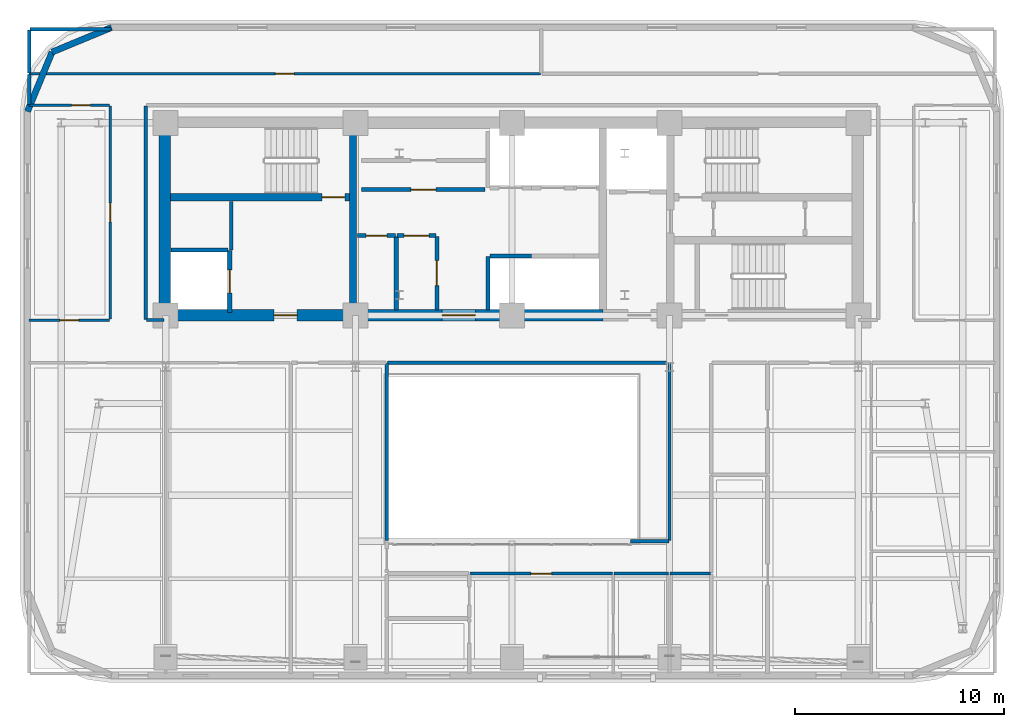
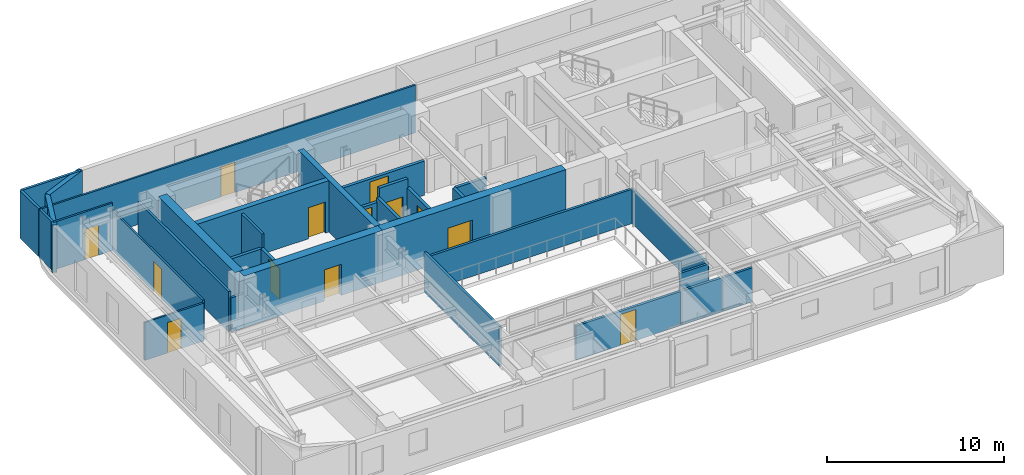
# One storey, part 7 of 13: 33 walls, 13 doors, 13 openings.
"""IFC4 building model written with IfcOpenShell, lengths in metres."""

import ifcopenshell
import ifcopenshell.guid

model = None  # the IFC model being written
_history = None  # IfcOwnerHistory: only IFC2X3 demands one
_inside = {}  # id of a spatial element -> (the spatial element, [elements in it])
_under = {}  # id of a project, library or spatial element -> (it, [spatial elements below it])
_declared = {}  # id of a project -> (the project, [libraries it declares])
_typed = {}  # id of a type object -> (the type object, [elements of that type])
_made_of = {}  # id of a material, layer set ... -> (it, [elements and type objects made of it])


def new_model(schema):
    """Start an empty IFC model of exactly this schema.

    Asked for "IFC4X3", IfcOpenShell would pick the latest addendum, in which some entities
    have other attributes; the version numbers below select the first issue.
    IFC2X3 requires an IfcOwnerHistory on every rooted entity: one is made here for all.
    """
    global model, _history
    if schema == "IFC4X3":
        model = ifcopenshell.file(schema_version=(4, 3, 0, 0))
    else:
        model = ifcopenshell.file(schema=schema)
    _inside.clear()
    _under.clear()
    _declared.clear()
    _typed.clear()
    _made_of.clear()
    _history = None
    if model.schema == "IFC2X3":
        org = make("IfcOrganization", Name="unknown")
        user = make(
            "IfcPersonAndOrganization",
            ThePerson=make("IfcPerson", FamilyName="unknown"),
            TheOrganization=org,
        )
        app = make(
            "IfcApplication",
            ApplicationDeveloper=org,
            Version="unknown",
            ApplicationFullName="unknown",
            ApplicationIdentifier="unknown",
        )
        _history = make(
            "IfcOwnerHistory",
            OwningUser=user,
            OwningApplication=app,
            ChangeAction="ADDED",
            CreationDate=0,
        )
    return model


def make(cls, **values):
    """One entity of the class cls with the attributes given. An attribute that is None is left unset."""
    return model.create_entity(
        cls, **{name: value for name, value in values.items() if value is not None}
    )


def rooted(cls, **values):
    """An entity with a GlobalId (a new one), such as an element, a storey or a relation."""
    return make(cls, GlobalId=ifcopenshell.guid.new(), OwnerHistory=_history, **values)


def si_unit(unit_type, name, prefix=None):
    """IfcSIUnit, for example si_unit("LENGTHUNIT", "METRE", prefix="MILLI")."""
    return make("IfcSIUnit", UnitType=unit_type, Prefix=prefix, Name=name)


def assignment(units):
    """IfcUnitAssignment: the units of a project."""
    return None if units is None else make("IfcUnitAssignment", Units=units)


def point(xyz):
    """IfcCartesianPoint."""
    return None if xyz is None else make("IfcCartesianPoint", Coordinates=xyz)


def direction(xyz):
    """IfcDirection."""
    return None if xyz is None else make("IfcDirection", DirectionRatios=xyz)


def frame(location, z_axis=None, x_axis=None):
    """IfcAxis2Placement3D, a coordinate frame: its origin and axes. An axis left out is left unset."""
    return make(
        "IfcAxis2Placement3D",
        Location=point(location),
        Axis=direction(z_axis),
        RefDirection=direction(x_axis),
    )


def frame_2d(location, x_axis=None):
    """IfcAxis2Placement2D, a coordinate frame in the plane: its origin and x axis."""
    return make(
        "IfcAxis2Placement2D", Location=point(location), RefDirection=direction(x_axis)
    )


def origin():
    """The frame at (0, 0, 0) with its axes left unset."""
    return frame((0.0, 0.0, 0.0))


def place(relative_to, where):
    """IfcLocalPlacement: puts the frame where relative to a parent placement (None: the world)."""
    return make(
        "IfcLocalPlacement", PlacementRelTo=relative_to, RelativePlacement=where
    )


def context(
    kind, dimensions, precision=None, world=None, true_north=None, identifier=None
):
    """IfcGeometricRepresentationContext, for example the 3D "Model" context."""
    return make(
        "IfcGeometricRepresentationContext",
        ContextIdentifier=identifier,
        ContextType=kind,
        CoordinateSpaceDimension=dimensions,
        Precision=precision,
        WorldCoordinateSystem=world,
        TrueNorth=true_north,
    )


def subcontext(parent, identifier, kind, view, scale=None):
    """IfcGeometricRepresentationSubContext, for example "Body" below "Model"."""
    return make(
        "IfcGeometricRepresentationSubContext",
        ContextIdentifier=identifier,
        ContextType=kind,
        ParentContext=parent,
        TargetScale=scale,
        TargetView=view,
    )


def project(units=None, contexts=None):
    """IfcProject with its units and contexts."""
    return rooted(
        "IfcProject",
        Name="project",
        RepresentationContexts=contexts,
        UnitsInContext=assignment(units),
    )


def spatial(cls, under=None, at=None, **own):
    """A site, building, storey or space (cls), placed at a placement, below another one or the project."""
    s = rooted(cls, ObjectPlacement=at, **own)
    if under is not None:
        _under.setdefault(under.id(), (under, []))[1].append(s)
    return s


def profile(cls, at=None, kind="AREA", **sizes):
    """A parametric profile (cls). Its sizes go by their IFC names, for example OverallWidth=200.0."""
    return make(cls, ProfileType=kind, Position=at, **sizes)


def rectangle(**sizes):
    """IfcRectangleProfileDef."""
    return profile("IfcRectangleProfileDef", **sizes)


def extrude(swept, where, along, depth):
    """IfcExtrudedAreaSolid: the profile swept, set in the frame where, extruded along a direction by depth."""
    return make(
        "IfcExtrudedAreaSolid",
        SweptArea=swept,
        Position=where,
        ExtrudedDirection=direction(along),
        Depth=depth,
    )


def shape(context_of_items, identifier, shape_type, items):
    """IfcShapeRepresentation: the items that make up one representation, for example the "Body"."""
    return make(
        "IfcShapeRepresentation",
        ContextOfItems=context_of_items,
        RepresentationIdentifier=identifier,
        RepresentationType=shape_type,
        Items=items,
    )


def material(Name=None, Category=None):
    """IfcMaterial."""
    return make("IfcMaterial", Name=Name, Category=Category)


def layer(
    of_material, thickness, ventilated=None, Name=None, Category=None, Priority=None
):
    """IfcMaterialLayer: one layer of a wall or slab, of a material (None: an air gap)."""
    return make(
        "IfcMaterialLayer",
        Material=of_material,
        LayerThickness=thickness,
        IsVentilated=ventilated,
        Name=Name,
        Category=Category,
        Priority=Priority,
    )


def layer_set(layers, Name=None):
    """IfcMaterialLayerSet."""
    return make("IfcMaterialLayerSet", MaterialLayers=layers, LayerSetName=Name)


def made_of(thing, what):
    """Note that an element or type object is made of a material, layer set ...; save() writes the relation."""
    if what is not None:
        _made_of.setdefault(what.id(), (what, []))[1].append(thing)
    return thing


def type_object(cls, material=None, **own):
    """A type object (cls), such as IfcWallType, which elements share."""
    return made_of(rooted(cls, **own), material)


def element(
    cls,
    number,
    at=None,
    inside=None,
    cuts=None,
    type_object=None,
    material=None,
    context=None,
    identifier="Body",
    shape_type=None,
    held_by="IfcProductDefinitionShape",
    body=None,
    shapes=None,
    **own,
):
    """One element of the class cls, such as IfcWall. Its Tag is "e" and its number.

    at: its placement. inside: the storey or other place that contains it. cuts: it is an
    opening in that element (IfcRelVoidsElement). A single representation is given by context,
    identifier, shape_type and body (its items); several are given by shapes. held_by: the class
    of the entity that holds the representations. save() writes the other relations.
    """
    e = rooted(cls, Tag="e%d" % number, ObjectPlacement=at, **own)
    if body is not None:
        shapes = [shape(context, identifier, shape_type, body)]
    if shapes is not None:
        e.Representation = make(held_by, Representations=shapes)
    if inside is not None:
        _inside.setdefault(inside.id(), (inside, []))[1].append(e)
    if cuts is not None:
        rooted(
            "IfcRelVoidsElement", RelatingBuildingElement=cuts, RelatedOpeningElement=e
        )
    if type_object is not None:
        _typed.setdefault(type_object.id(), (type_object, []))[1].append(e)
    return made_of(e, material)


def fill(opening, filler):
    """IfcRelFillsElement: the door or window that sits in an opening."""
    return rooted(
        "IfcRelFillsElement",
        RelatingOpeningElement=opening,
        RelatedBuildingElement=filler,
    )


def aggregate(whole, parts):
    """IfcRelAggregates: a whole, such as a stair, and the parts it consists of."""
    return rooted("IfcRelAggregates", RelatingObject=whole, RelatedObjects=parts)


def save(model, path):
    """Write the relations noted so far, then the file.

    IfcRelAggregates (storeys below a building ...), IfcRelContainedInSpatialStructure (elements
    in a storey), IfcRelDefinesByType, IfcRelAssociatesMaterial and IfcRelDeclares: one each for
    every whole, place, type object, material and project.
    """
    for whole, parts in _under.values():
        aggregate(whole, parts)
    for where, things in _inside.values():
        rooted(
            "IfcRelContainedInSpatialStructure",
            RelatedElements=things,
            RelatingStructure=where,
        )
    for kind, things in _typed.values():
        rooted("IfcRelDefinesByType", RelatedObjects=things, RelatingType=kind)
    for what, things in _made_of.values():
        rooted("IfcRelAssociatesMaterial", RelatedObjects=things, RelatingMaterial=what)
    for by, libraries in _declared.values():
        rooted("IfcRelDeclares", RelatingContext=by, RelatedDefinitions=libraries)
    model.write(path)


model = new_model("IFC4")

# Units and contexts
model_context = context("Model", 3, precision=1e-05, world=origin(), true_north=direction((0.0, 1.0)))
body_context = subcontext(model_context, "Body", "Model", "MODEL_VIEW")
ifc_project = project(units=[si_unit("LENGTHUNIT", "METRE"), si_unit("AREAUNIT", "SQUARE_METRE"), si_unit("VOLUMEUNIT", "CUBIC_METRE"), si_unit("PLANEANGLEUNIT", "RADIAN"), si_unit("MASSUNIT", "GRAM", prefix="KILO")], contexts=[model_context])

# Site, building, storey
site_placement = place(None, origin())
site = spatial("IfcSite", under=ifc_project, at=site_placement, CompositionType="ELEMENT")
building_placement = place(site_placement, origin())
building = spatial("IfcBuilding", under=site, at=building_placement, Name="Zarnavel Station Tower", CompositionType="ELEMENT")
storey_placement = place(building_placement, frame((0.0, 0.0, 162.550048828125)))
storey = spatial("IfcBuildingStorey", under=building, at=storey_placement, Name="L44", CompositionType="ELEMENT", Elevation=162.550048828125)

# Wall
ifc_material_1 = material(Name="Concrete C50/60", Category="concrete")
ifc_layer_1 = layer(ifc_material_1, 0.35009765625)
ifc_layer_set_1 = layer_set([ifc_layer_1], Name="CW_350")
wall_type_1 = type_object("IfcWallType", Name="CW_350", PredefinedType="SHEAR", material=ifc_layer_set_1)
wall_1_placement = place(storey_placement, frame((21.179931640625, 28.094970703125, 0.0), z_axis=(0.0, 0.0, 1.0), x_axis=(0.0, 1.0, 0.0)))
element("IfcWall", 1, at=wall_1_placement, inside=storey, type_object=wall_type_1, Name="L44 Rear Core Shear Wall DIV-W", PredefinedType="SHEAR", context=body_context, shape_type="SweptSolid", body=[
    extrude(rectangle(XDim=8.679931640625, YDim=0.35009765625, at=frame_2d((4.33984375, 0.0))), origin(), (0.0, 0.0, 1.0), 3.550048828125),
])

# Wall, opening, door
wall_2_placement = place(storey_placement, frame((21.0048828125, 33.47998046875, 0.0), z_axis=(0.0, 0.0, 1.0), x_axis=(-1.0, 0.0, 0.0)))
wall_2 = element("IfcWall", 2, at=wall_2_placement, inside=storey, type_object=wall_type_1, Name="L44 Rear Core Shear Wall DIV-H1", PredefinedType="SHEAR", context=body_context, shape_type="SweptSolid", body=[
    extrude(rectangle(XDim=8.579833984375, YDim=0.35009765625, at=frame_2d((4.2900390625, 0.0))), origin(), (0.0, 0.0, 1.0), 3.550048828125),
])
opening_1_placement = place(wall_2_placement, frame((0.219970703125, 0.0, 0.0)))
opening_1 = element("IfcOpeningElement", 3, at=opening_1_placement, cuts=wall_2, Name="Opening FD01", PredefinedType="OPENING", context=body_context, shape_type="SweptSolid", body=[
    extrude(rectangle(XDim=1.10009765625, YDim=2.14990234375, at=frame_2d((0.550048828125, 1.074951171875))), frame((0.0, 0.18505859375, 0.0), z_axis=(0.0, -1.0, 0.0), x_axis=(1.0, 0.0, 0.0)), (0.0, 0.0, 1.0), 0.3701171875),
])
ifc_material_2 = material(Name="Painted Galvanised Steel and Hardwood Leaf", Category="steel")
door_type_1 = type_object("IfcDoorType", Name="ID_STAIR_1100", OperationType="NOTDEFINED", PredefinedType="DOOR", material=ifc_material_2)
door_1_placement = place(opening_1_placement, origin())
door_1 = element("IfcDoor", 4, at=door_1_placement, inside=storey, type_object=door_type_1, Name="L44 Stair ST1 Lobby Fire Door", OperationType="SINGLE_SWING_LEFT", OverallHeight=2.14990234375, OverallWidth=1.10009765625, PredefinedType="DOOR", context=body_context, shape_type="SweptSolid", body=[
    extrude(rectangle(XDim=1.10009765625, YDim=2.14990234375, at=frame_2d((0.550048828125, 1.074951171875))), frame((0.0, 0.02490234375, 0.0), z_axis=(0.0, -1.0, 0.0), x_axis=(1.0, 0.0, 0.0)), (0.0, 0.0, 1.0), 0.050048828125),
])
fill(opening_1, door_1)

ifc_material_3 = material(Name="Concrete C50/60", Category="concrete")
ifc_layer_2 = layer(ifc_material_3, 0.550048828125)
ifc_layer_set_2 = layer_set([ifc_layer_2], Name="CW_550")
wall_type_2 = type_object("IfcWallType", Name="CW_550", PredefinedType="SHEAR", material=ifc_layer_set_2)
wall_3_placement = place(storey_placement, frame((21.179931640625, 27.820068359375, 0.0), z_axis=(0.0, 0.0, 1.0), x_axis=(-1.0, 0.0, 0.0)))
wall_3 = element("IfcWall", 5, at=wall_3_placement, inside=storey, type_object=wall_type_2, Name="L44 Rear Core Shear Wall S-W", PredefinedType="SHEAR", context=body_context, shape_type="SweptSolid", body=[
    extrude(rectangle(XDim=9.030029296875, YDim=0.550048828125, at=frame_2d((4.51513671875, 0.0))), origin(), (0.0, 0.0, 1.0), 3.550048828125),
])
opening_2_placement = place(wall_3_placement, frame((2.679931640625, 0.0, 0.0)))
opening_2 = element("IfcOpeningElement", 6, at=opening_2_placement, cuts=wall_3, Name="Opening FD01", PredefinedType="OPENING", context=body_context, shape_type="SweptSolid", body=[
    extrude(rectangle(XDim=1.10009765625, YDim=2.14990234375, at=frame_2d((0.550048828125, 1.074951171875))), frame((0.0, 0.284912109375, 0.0), z_axis=(0.0, -1.0, 0.0), x_axis=(1.0, 0.0, 0.0)), (0.0, 0.0, 1.0), 0.570068359375),
])
door_2_placement = place(opening_2_placement, origin())
door_2 = element("IfcDoor", 7, at=door_2_placement, inside=storey, type_object=door_type_1, Name="L44 West Firefighting Lobby Door", OperationType="SINGLE_SWING_RIGHT", OverallHeight=2.14990234375, OverallWidth=1.10009765625, PredefinedType="DOOR", context=body_context, shape_type="SweptSolid", body=[
    extrude(rectangle(XDim=1.10009765625, YDim=2.14990234375, at=frame_2d((0.550048828125, 1.074951171875))), frame((0.0, 0.02490234375, 0.0), z_axis=(0.0, -1.0, 0.0), x_axis=(1.0, 0.0, 0.0)), (0.0, 0.0, 1.0), 0.050048828125),
])
fill(opening_2, door_2)

wall_4_placement = place(storey_placement, frame((33.14990234375, 27.820068359375, 0.0), z_axis=(0.0, 0.0, 1.0), x_axis=(-1.0, 0.0, 0.0)))
wall_4 = element("IfcWall", 8, at=wall_4_placement, inside=storey, type_object=wall_type_2, Name="L44 Rear Core Shear Wall S-M", PredefinedType="SHEAR", context=body_context, shape_type="SweptSolid", body=[
    extrude(rectangle(XDim=11.969970703125, YDim=0.550048828125, at=frame_2d((5.98486328125, 0.0))), origin(), (0.0, 0.0, 1.0), 3.550048828125),
])
opening_3_placement = place(wall_4_placement, frame((6.10009765625, 0.0, 0.0)))
opening_3 = element("IfcOpeningElement", 9, at=opening_3_placement, cuts=wall_4, Name="Opening ID03", PredefinedType="OPENING", context=body_context, shape_type="SweptSolid", body=[
    extrude(rectangle(XDim=1.60009765625, YDim=2.199951171875, at=frame_2d((0.800048828125, 1.10009765625))), frame((0.0, 0.284912109375, 0.0), z_axis=(0.0, -1.0, 0.0), x_axis=(1.0, 0.0, 0.0)), (0.0, 0.0, 1.0), 0.570068359375),
])
ifc_material_4 = material(Name="Painted Galvanised Steel and Hardwood Leaf", Category="steel")
door_type_2 = type_object("IfcDoorType", Name="ID_PUBLIC_1600", OperationType="DOUBLE_DOOR_SINGLE_SWING", PredefinedType="DOOR", material=ifc_material_4)
door_3_placement = place(opening_3_placement, origin())
door_3 = element("IfcDoor", 10, at=door_3_placement, inside=storey, type_object=door_type_2, Name="L44 Passenger Lift Lobby Double Door", OperationType="SINGLE_SWING_LEFT", OverallHeight=2.199951171875, OverallWidth=1.60009765625, PredefinedType="DOOR", context=body_context, shape_type="SweptSolid", body=[
    extrude(rectangle(XDim=1.60009765625, YDim=2.199951171875, at=frame_2d((0.800048828125, 1.10009765625))), frame((0.0, 0.02490234375, 0.0), z_axis=(0.0, -1.0, 0.0), x_axis=(1.0, 0.0, 0.0)), (0.0, 0.0, 1.0), 0.050048828125),
])
fill(opening_3, door_3)

# Walls
wall_5_placement = place(storey_placement, frame((12.14990234375, 28.094970703125, 0.0), z_axis=(0.0, 0.0, 1.0), x_axis=(0.0, 1.0, 0.0)))
element("IfcWall", 11, at=wall_5_placement, inside=storey, type_object=wall_type_2, Name="L44 Rear Core Shear Wall W", PredefinedType="SHEAR", context=body_context, shape_type="SweptSolid", body=[
    extrude(rectangle(XDim=8.679931640625, YDim=0.550048828125, at=frame_2d((4.33984375, 0.0))), origin(), (0.0, 0.0, 1.0), 3.550048828125),
])
ifc_material_5 = material(Name="Precast concrete C45/55 (Dark Basalt Finish)", Category="masonry")
ifc_layer_3 = layer(ifc_material_5, 0.300048828125)
ifc_layer_set_3 = layer_set([ifc_layer_3], Name="EW_BASALT_300")
wall_type_3 = type_object("IfcWallType", Name="EW_BASALT_300", PredefinedType="SOLIDWALL", material=ifc_layer_set_3)
wall_6_placement = place(storey_placement, frame((6.75732421875, 40.442626953125, 0.0), z_axis=(0.0, 0.0, 1.0), x_axis=(0.923882414032, 0.382676475685, 0.0)))
element("IfcWall", 12, at=wall_6_placement, inside=storey, type_object=wall_type_3, Name="L44 Exterior Basalt Masonry Frame Wall 07", PredefinedType="SOLIDWALL", context=body_context, shape_type="SweptSolid", body=[
    extrude(rectangle(XDim=3.076904296875, YDim=0.300048828125, at=frame_2d((1.53857421875, 0.0))), origin(), (0.0, 0.0, 1.0), 3.2900390625),
])
wall_7_placement = place(storey_placement, frame((5.580078125, 37.60009765625, 0.0), z_axis=(0.0, 0.0, 1.0), x_axis=(0.382636798336, 0.92389884758, 0.0)))
element("IfcWall", 13, at=wall_7_placement, inside=storey, type_object=wall_type_3, Name="L44 Exterior Basalt Masonry Frame Wall 08", PredefinedType="SOLIDWALL", context=body_context, shape_type="SweptSolid", body=[
    extrude(rectangle(XDim=3.07666015625, YDim=0.300048828125, at=frame_2d((1.538330078125, 0.0))), origin(), (0.0, 0.0, 1.0), 3.2900390625),
])

# Wall, opening, door
ifc_material_6 = material(Name="Gypsum Twin-Stud Acoustic Fire Partition", Category="concrete")
ifc_layer_4 = layer(ifc_material_6, 0.159912109375)
ifc_layer_set_4 = layer_set([ifc_layer_4], Name="PT_DEMISE_160")
wall_type_4 = type_object("IfcWallType", Name="PT_DEMISE_160", PredefinedType="PARTITIONING", material=ifc_layer_set_4)
wall_8_placement = place(storey_placement, frame((26.7900390625, 15.449951171875, 0.0), z_axis=(0.0, 0.0, 1.0), x_axis=(1.0, 0.0, 0.0)))
wall_8 = element("IfcWall", 14, at=wall_8_placement, inside=storey, type_object=wall_type_4, Name="L44 Partition COR-AS-US1LV", PredefinedType="PARTITIONING", context=body_context, shape_type="SweptSolid", body=[
    extrude(rectangle(XDim=6.820068359375, YDim=0.159912109375, at=frame_2d((3.41015625, 0.0))), origin(), (0.0, 0.0, 1.0), 2.35986328125),
])
opening_4_placement = place(wall_8_placement, frame((2.909912109375, 0.0, 0.0)))
opening_4 = element("IfcOpeningElement", 15, at=opening_4_placement, cuts=wall_8, Name="Opening FD02", PredefinedType="OPENING", context=body_context, shape_type="SweptSolid", body=[
    extrude(rectangle(XDim=1.0, YDim=2.14990234375, at=frame_2d((0.5, 1.074951171875))), frame((0.0, 0.08984375, 0.0), z_axis=(0.0, -1.0, 0.0), x_axis=(1.0, 0.0, 0.0)), (0.0, 0.0, 1.0), 0.179931640625),
])
ifc_material_7 = material(Name="Painted Galvanised Steel and Hardwood Leaf", Category="steel")
door_type_3 = type_object("IfcDoorType", Name="ID_ENTRY_1000", OperationType="NOTDEFINED", PredefinedType="DOOR", material=ifc_material_7)
door_4_placement = place(opening_4_placement, origin())
door_4 = element("IfcDoor", 16, at=door_4_placement, inside=storey, type_object=door_type_3, Name="L44 Door COR-AS-US1LV", OperationType="SINGLE_SWING_RIGHT", OverallHeight=2.14990234375, OverallWidth=1.0, PredefinedType="DOOR", context=body_context, shape_type="SweptSolid", body=[
    extrude(rectangle(XDim=1.0, YDim=2.14990234375, at=frame_2d((0.5, 1.074951171875))), frame((0.0, 0.02490234375, 0.0), z_axis=(0.0, -1.0, 0.0), x_axis=(1.0, 0.0, 0.0)), (0.0, 0.0, 1.0), 0.050048828125),
])
fill(opening_4, door_4)

# Walls
wall_9_placement = place(storey_placement, frame((33.68994140625, 15.449951171875, 0.0), z_axis=(0.0, 0.0, 1.0), x_axis=(1.0, 0.0, 0.0)))
element("IfcWall", 17, at=wall_9_placement, inside=storey, type_object=wall_type_4, Name="L44 Partition COR-AS-US1B1", PredefinedType="PARTITIONING", context=body_context, shape_type="SweptSolid", body=[
    extrude(rectangle(XDim=2.6201171875, YDim=0.159912109375, at=frame_2d((1.31005859375, 0.0))), origin(), (0.0, 0.0, 1.0), 2.35986328125),
])
wall_10_placement = place(storey_placement, frame((15.35009765625, 30.9599609375, 0.0), z_axis=(0.0, 0.0, 1.0), x_axis=(0.0, 1.0, 0.0)))
element("IfcWall", 18, at=wall_10_placement, inside=storey, type_object=wall_type_4, Name="L44 Enclosure Wall FFL1", PredefinedType="PARTITIONING", context=body_context, shape_type="SweptSolid", body=[
    extrude(rectangle(XDim=2.31005859375, YDim=0.159912109375, at=frame_2d((1.155029296875, 0.0))), origin(), (0.0, 0.0, 1.0), 3.2900390625),
])
wall_11_placement = place(storey_placement, frame((22.830078125, 25.550048828125, 0.0), z_axis=(0.0, 0.0, 1.0), x_axis=(1.0, 0.0, 0.0)))
element("IfcWall", 19, at=wall_11_placement, inside=storey, type_object=wall_type_4, Name="L44 Enclosure Wall COR-S", PredefinedType="PARTITIONING", context=body_context, shape_type="SweptSolid", body=[
    extrude(rectangle(XDim=13.489990234375, YDim=0.159912109375, at=frame_2d((6.7451171875, 0.0))), origin(), (0.0, 0.0, 1.0), 2.35986328125),
])
wall_12_placement = place(storey_placement, frame((11.280029296875, 27.60009765625, 0.0), z_axis=(0.0, 0.0, 1.0), x_axis=(1.0, 0.0, 0.0)))
element("IfcWall", 20, at=wall_12_placement, inside=storey, type_object=wall_type_4, Name="L44 Enclosure Wall COR-S", PredefinedType="PARTITIONING", context=body_context, shape_type="SweptSolid", body=[
    extrude(rectangle(XDim=0.840087890625, YDim=0.159912109375, at=frame_2d((0.419921875, 0.0))), origin(), (0.0, 0.0, 1.0), 2.35986328125),
])
wall_13_placement = place(storey_placement, frame((11.25, 27.6298828125, 0.0), z_axis=(0.0, 0.0, 1.0), x_axis=(0.0, 1.0, 0.0)))
element("IfcWall", 21, at=wall_13_placement, inside=storey, type_object=wall_type_4, Name="L44 Enclosure Wall COR-W", PredefinedType="PARTITIONING", context=body_context, shape_type="SweptSolid", body=[
    extrude(rectangle(XDim=10.240234375, YDim=0.159912109375, at=frame_2d((5.1201171875, 0.0))), origin(), (0.0, 0.0, 1.0), 2.77001953125),
])
wall_14_placement = place(storey_placement, frame((5.659912109375, 37.929931640625, 0.0), z_axis=(0.0, 0.0, 1.0), x_axis=(0.0, 1.0, 0.0)))
element("IfcWall", 22, at=wall_14_placement, inside=storey, type_object=wall_type_4, Name="L44 Enclosure Wall COR-N", PredefinedType="PARTITIONING", context=body_context, shape_type="SweptSolid", body=[
    extrude(rectangle(XDim=1.440185546875, YDim=0.159912109375, at=frame_2d((0.72021484375, 0.0))), origin(), (0.0, 0.0, 1.0), 3.2900390625),
])
wall_15_placement = place(storey_placement, frame((36.3798828125, 15.449951171875, 0.0), z_axis=(0.0, 0.0, 1.0), x_axis=(1.0, 0.0, 0.0)))
element("IfcWall", 23, at=wall_15_placement, inside=storey, type_object=wall_type_4, Name="L44 Enclosure Wall COR-AE", PredefinedType="PARTITIONING", context=body_context, shape_type="SweptSolid", body=[
    extrude(rectangle(XDim=1.940185546875, YDim=0.159912109375, at=frame_2d((0.97021484375, 0.0))), origin(), (0.0, 0.0, 1.0), 2.35986328125),
])
wall_16_placement = place(storey_placement, frame((36.35009765625, 17.030029296875, 0.0), z_axis=(0.0, 0.0, 1.0), x_axis=(0.0, 1.0, 0.0)))
element("IfcWall", 24, at=wall_16_placement, inside=storey, type_object=wall_type_4, Name="L44 Enclosure Wall COR-AE", PredefinedType="PARTITIONING", context=body_context, shape_type="SweptSolid", body=[
    extrude(rectangle(XDim=8.489990234375, YDim=0.159912109375, at=frame_2d((4.2451171875, 0.0))), origin(), (0.0, 0.0, 1.0), 2.35986328125),
])
wall_17_placement = place(storey_placement, frame((34.47998046875, 17.0, 0.0), z_axis=(0.0, 0.0, 1.0), x_axis=(1.0, 0.0, 0.0)))
element("IfcWall", 25, at=wall_17_placement, inside=storey, type_object=wall_type_4, Name="L44 Enclosure Wall COR-AS", PredefinedType="PARTITIONING", context=body_context, shape_type="SweptSolid", body=[
    extrude(rectangle(XDim=1.840087890625, YDim=0.159912109375, at=frame_2d((0.919921875, 0.0))), origin(), (0.0, 0.0, 1.0), 2.35986328125),
])
wall_18_placement = place(storey_placement, frame((5.68994140625, 41.5400390625, 0.0), z_axis=(0.0, 0.0, 1.0), x_axis=(1.0, 0.0, 0.0)))
element("IfcWall", 26, at=wall_18_placement, inside=storey, type_object=wall_type_4, Name="L44 Enclosure Wall NLOU", PredefinedType="PARTITIONING", context=body_context, shape_type="SweptSolid", body=[
    extrude(rectangle(XDim=3.880126953125, YDim=0.159912109375, at=frame_2d((1.93994140625, 0.0))), origin(), (0.0, 0.0, 1.0), 3.2900390625),
])
wall_19_placement = place(storey_placement, frame((5.659912109375, 39.429931640625, 0.0), z_axis=(0.0, 0.0, 1.0), x_axis=(0.0, 1.0, 0.0)))
element("IfcWall", 27, at=wall_19_placement, inside=storey, type_object=wall_type_4, Name="L44 Enclosure Wall NLOU", PredefinedType="PARTITIONING", context=body_context, shape_type="SweptSolid", body=[
    extrude(rectangle(XDim=2.080078125, YDim=0.159912109375, at=frame_2d((1.0400390625, 0.0))), origin(), (0.0, 0.0, 1.0), 3.2900390625),
])
wall_20_placement = place(storey_placement, frame((22.800048828125, 17.030029296875, 0.0), z_axis=(0.0, 0.0, 1.0), x_axis=(0.0, 1.0, 0.0)))
element("IfcWall", 28, at=wall_20_placement, inside=storey, type_object=wall_type_4, Name="L44 Enclosure Wall L43KIT", PredefinedType="PARTITIONING", context=body_context, shape_type="SweptSolid", body=[
    extrude(rectangle(XDim=8.489990234375, YDim=0.159912109375, at=frame_2d((4.2451171875, 0.0))), origin(), (0.0, 0.0, 1.0), 2.72998046875),
])

# Wall, opening, door
ifc_material_8 = material(Name="Gypsum Metal-Stud Interior Partition", Category="concrete")
ifc_layer_5 = layer(ifc_material_8, 0.1201171875)
ifc_layer_set_5 = layer_set([ifc_layer_5], Name="PT_ROOM_120")
wall_type_5 = type_object("IfcWallType", Name="PT_ROOM_120", PredefinedType="PARTITIONING", material=ifc_layer_set_5)
wall_21_placement = place(storey_placement, frame((5.659912109375, 27.60009765625, 0.0), z_axis=(0.0, 0.0, 1.0), x_axis=(1.0, 0.0, 0.0)))
wall_21 = element("IfcWall", 29, at=wall_21_placement, inside=storey, type_object=wall_type_5, Name="L44 Partition COR-S-FNW", PredefinedType="PARTITIONING", context=body_context, shape_type="SweptSolid", body=[
    extrude(rectangle(XDim=3.85009765625, YDim=0.1201171875, at=frame_2d((1.925048828125, 0.0))), origin(), (0.0, 0.0, 1.0), 2.619873046875),
])
opening_5_placement = place(wall_21_placement, frame((1.47509765625, 0.0, 0.0)))
opening_5 = element("IfcOpeningElement", 30, at=opening_5_placement, cuts=wall_21, Name="Opening ID01", PredefinedType="OPENING", context=body_context, shape_type="SweptSolid", body=[
    extrude(rectangle(XDim=0.89990234375, YDim=2.10009765625, at=frame_2d((0.449951171875, 1.050048828125))), frame((0.0, 0.070068359375, 0.0), z_axis=(0.0, -1.0, 0.0), x_axis=(1.0, 0.0, 0.0)), (0.0, 0.0, 1.0), 0.14013671875),
])
ifc_material_9 = material(Name="Painted Galvanised Steel and Hardwood Leaf", Category="steel")
door_type_4 = type_object("IfcDoorType", Name="ID_ROOM_900", OperationType="NOTDEFINED", PredefinedType="DOOR", material=ifc_material_9)
door_5_placement = place(opening_5_placement, origin())
door_5 = element("IfcDoor", 31, at=door_5_placement, inside=storey, type_object=door_type_4, Name="L44 Door COR-S-FNW", OperationType="SINGLE_SWING_LEFT", OverallHeight=2.10009765625, OverallWidth=0.89990234375, PredefinedType="DOOR", context=body_context, shape_type="SweptSolid", body=[
    extrude(rectangle(XDim=0.89990234375, YDim=2.10009765625, at=frame_2d((0.449951171875, 1.050048828125))), frame((0.0, 0.02490234375, 0.0), z_axis=(0.0, -1.0, 0.0), x_axis=(1.0, 0.0, 0.0)), (0.0, 0.0, 1.0), 0.050048828125),
])
fill(opening_5, door_5)

wall_22_placement = place(storey_placement, frame((9.550048828125, 27.639892578125, 0.0), z_axis=(0.0, 0.0, 1.0), x_axis=(0.0, 1.0, 0.0)))
wall_22 = element("IfcWall", 32, at=wall_22_placement, inside=storey, type_object=wall_type_5, Name="L44 Partition COR-W-FNW", PredefinedType="PARTITIONING", context=body_context, shape_type="SweptSolid", body=[
    extrude(rectangle(XDim=10.22021484375, YDim=0.1201171875, at=frame_2d((5.110107421875, 0.0))), origin(), (0.0, 0.0, 1.0), 2.77001953125),
])
opening_6_placement = place(wall_22_placement, frame((4.659912109375, 0.0, 0.0)))
opening_6 = element("IfcOpeningElement", 33, at=opening_6_placement, cuts=wall_22, Name="Opening ID01", PredefinedType="OPENING", context=body_context, shape_type="SweptSolid", body=[
    extrude(rectangle(XDim=0.89990234375, YDim=2.10009765625, at=frame_2d((0.449951171875, 1.050048828125))), frame((0.0, 0.070068359375, 0.0), z_axis=(0.0, -1.0, 0.0), x_axis=(1.0, 0.0, 0.0)), (0.0, 0.0, 1.0), 0.14013671875),
])
door_6_placement = place(opening_6_placement, origin())
door_6 = element("IfcDoor", 34, at=door_6_placement, inside=storey, type_object=door_type_4, Name="L44 Door COR-W-FNW", OperationType="SINGLE_SWING_LEFT", OverallHeight=2.10009765625, OverallWidth=0.89990234375, PredefinedType="DOOR", context=body_context, shape_type="SweptSolid", body=[
    extrude(rectangle(XDim=0.89990234375, YDim=2.10009765625, at=frame_2d((0.449951171875, 1.050048828125))), frame((0.0, 0.02490234375, 0.0), z_axis=(0.0, -1.0, 0.0), x_axis=(1.0, 0.0, 0.0)), (0.0, 0.0, 1.0), 0.050048828125),
])
fill(opening_6, door_6)

wall_23_placement = place(storey_placement, frame((5.659912109375, 37.89990234375, 0.0), z_axis=(0.0, 0.0, 1.0), x_axis=(1.0, 0.0, 0.0)))
wall_23 = element("IfcWall", 35, at=wall_23_placement, inside=storey, type_object=wall_type_5, Name="L44 Partition COR-N-FNW", PredefinedType="PARTITIONING", context=body_context, shape_type="SweptSolid", body=[
    extrude(rectangle(XDim=3.85009765625, YDim=0.1201171875, at=frame_2d((1.925048828125, 0.0))), origin(), (0.0, 0.0, 1.0), 3.2900390625),
])
opening_7_placement = place(wall_23_placement, frame((2.03125, 0.0, 0.0)))
opening_7 = element("IfcOpeningElement", 36, at=opening_7_placement, cuts=wall_23, Name="Opening ID01", PredefinedType="OPENING", context=body_context, shape_type="SweptSolid", body=[
    extrude(rectangle(XDim=0.89990234375, YDim=2.10009765625, at=frame_2d((0.449951171875, 1.050048828125))), frame((0.0, 0.070068359375, 0.0), z_axis=(0.0, -1.0, 0.0), x_axis=(1.0, 0.0, 0.0)), (0.0, 0.0, 1.0), 0.14013671875),
])
door_7_placement = place(opening_7_placement, origin())
door_7 = element("IfcDoor", 37, at=door_7_placement, inside=storey, type_object=door_type_4, Name="L44 Door COR-N-FNW", OperationType="SINGLE_SWING_LEFT", OverallHeight=2.10009765625, OverallWidth=0.89990234375, PredefinedType="DOOR", context=body_context, shape_type="SweptSolid", body=[
    extrude(rectangle(XDim=0.89990234375, YDim=2.10009765625, at=frame_2d((0.449951171875, 1.050048828125))), frame((0.0, 0.02490234375, 0.0), z_axis=(0.0, -1.0, 0.0), x_axis=(1.0, 0.0, 0.0)), (0.0, 0.0, 1.0), 0.050048828125),
])
fill(opening_7, door_7)

wall_24_placement = place(storey_placement, frame((5.659912109375, 39.39990234375, 0.0), z_axis=(0.0, 0.0, 1.0), x_axis=(1.0, 0.0, 0.0)))
wall_24 = element("IfcWall", 38, at=wall_24_placement, inside=storey, type_object=wall_type_5, Name="L44 Partition COR-N-NLOU", PredefinedType="PARTITIONING", context=body_context, shape_type="SweptSolid", body=[
    extrude(rectangle(XDim=24.5, YDim=0.1201171875, at=frame_2d((12.25, 0.0))), origin(), (0.0, 0.0, 1.0), 3.2900390625),
])
opening_8_placement = place(wall_24_placement, frame((11.800048828125, 0.0, 0.0)))
opening_8 = element("IfcOpeningElement", 39, at=opening_8_placement, cuts=wall_24, Name="Opening ID01", PredefinedType="OPENING", context=body_context, shape_type="SweptSolid", body=[
    extrude(rectangle(XDim=0.89990234375, YDim=2.10009765625, at=frame_2d((0.449951171875, 1.050048828125))), frame((0.0, 0.070068359375, 0.0), z_axis=(0.0, -1.0, 0.0), x_axis=(1.0, 0.0, 0.0)), (0.0, 0.0, 1.0), 0.14013671875),
])
door_8_placement = place(opening_8_placement, origin())
door_8 = element("IfcDoor", 40, at=door_8_placement, inside=storey, type_object=door_type_4, Name="L44 Door COR-N-NLOU", OperationType="SINGLE_SWING_LEFT", OverallHeight=2.10009765625, OverallWidth=0.89990234375, PredefinedType="DOOR", context=body_context, shape_type="SweptSolid", body=[
    extrude(rectangle(XDim=0.89990234375, YDim=2.10009765625, at=frame_2d((0.449951171875, 1.050048828125))), frame((0.0, 0.02490234375, 0.0), z_axis=(0.0, -1.0, 0.0), x_axis=(1.0, 0.0, 0.0)), (0.0, 0.0, 1.0), 0.050048828125),
])
fill(opening_8, door_8)

ifc_material_10 = material(Name="Precast concrete C45/55 (Fire Shaft Blockwork)", Category="masonry")
ifc_layer_6 = layer(ifc_material_10, 0.199951171875)
ifc_layer_set_6 = layer_set([ifc_layer_6], Name="PT_SHAFT_200")
wall_type_6 = type_object("IfcWallType", Name="PT_SHAFT_200", PredefinedType="PARTITIONING", material=ifc_layer_set_6)
wall_25_placement = place(storey_placement, frame((15.27001953125, 27.969970703125, 0.0), z_axis=(0.0, 0.0, 1.0), x_axis=(0.0, 1.0, 0.0)))
wall_25 = element("IfcWall", 41, at=wall_25_placement, inside=storey, type_object=wall_type_6, Name="L44 Lift FFL-01 Shaft Front Wall", PredefinedType="PARTITIONING", context=body_context, shape_type="SweptSolid", body=[
    extrude(rectangle(XDim=2.9599609375, YDim=0.199951171875, at=frame_2d((1.47998046875, 0.0))), origin(), (0.0, 0.0, 1.0), 2.35986328125),
])
opening_9_placement = place(wall_25_placement, frame((0.929931640625, 0.0, 0.0)))
opening_9 = element("IfcOpeningElement", 42, at=opening_9_placement, cuts=wall_25, Name="Opening LD01", PredefinedType="OPENING", context=body_context, shape_type="SweptSolid", body=[
    extrude(rectangle(XDim=1.10009765625, YDim=2.14990234375, at=frame_2d((0.550048828125, 1.074951171875))), frame((0.0, 0.10986328125, 0.0), z_axis=(0.0, -1.0, 0.0), x_axis=(1.0, 0.0, 0.0)), (0.0, 0.0, 1.0), 0.219970703125),
])
ifc_material_11 = material(Name="Painted Galvanised Steel and Hardwood Leaf", Category="steel")
door_type_5 = type_object("IfcDoorType", Name="LD_FF_1100", OperationType="DOUBLE_DOOR_SLIDING", PredefinedType="DOOR", material=ifc_material_11)
door_9_placement = place(opening_9_placement, origin())
door_9 = element("IfcDoor", 43, at=door_9_placement, inside=storey, type_object=door_type_5, Name="L44 Lift FFL-01 Sliding Landing Door", OperationType="DOUBLE_DOOR_SLIDING", OverallHeight=2.14990234375, OverallWidth=1.10009765625, PredefinedType="DOOR", context=body_context, shape_type="SweptSolid", body=[
    extrude(rectangle(XDim=1.10009765625, YDim=2.14990234375, at=frame_2d((0.550048828125, 1.074951171875))), frame((0.0, 0.02490234375, 0.0), z_axis=(0.0, -1.0, 0.0), x_axis=(1.0, 0.0, 0.0)), (0.0, 0.0, 1.0), 0.050048828125),
])
fill(opening_9, door_9)

# Walls
wall_26_placement = place(storey_placement, frame((12.449951171875, 30.949951171875, 0.0), z_axis=(0.0, 0.0, 1.0), x_axis=(1.0, 0.0, 0.0)))
element("IfcWall", 44, at=wall_26_placement, inside=storey, type_object=wall_type_6, Name="L44 Lift FFL-01 North Shaft Wall", PredefinedType="PARTITIONING", context=body_context, shape_type="SweptSolid", body=[
    extrude(rectangle(XDim=2.75, YDim=0.199951171875, at=frame_2d((1.375, 0.0))), origin(), (0.0, 0.0, 1.0), 2.35986328125),
])
wall_27_placement = place(storey_placement, frame((27.75, 30.669921875, 0.0), z_axis=(0.0, 0.0, 1.0), x_axis=(1.0, 0.0, 0.0)))
element("IfcWall", 45, at=wall_27_placement, inside=storey, type_object=wall_type_6, Name="L44 Lift PL-H1 Shaft Front Wall", PredefinedType="PARTITIONING", context=body_context, shape_type="SweptSolid", body=[
    extrude(rectangle(XDim=1.97509765625, YDim=0.199951171875, at=frame_2d((0.987548828125, 0.0))), origin(), (0.0, 0.0, 1.0), 2.35986328125),
])
wall_28_placement = place(storey_placement, frame((27.64990234375, 28.070068359375, 0.0), z_axis=(0.0, 0.0, 1.0), x_axis=(0.0, 1.0, 0.0)))
element("IfcWall", 46, at=wall_28_placement, inside=storey, type_object=wall_type_6, Name="L44 High-Rise Lift Bank West Shaft Wall", PredefinedType="PARTITIONING", context=body_context, shape_type="SweptSolid", body=[
    extrude(rectangle(XDim=2.579833984375, YDim=0.199951171875, at=frame_2d((1.2900390625, 0.0))), origin(), (0.0, 0.0, 1.0), 2.35986328125),
])

# Wall, opening, door
wall_29_placement = place(storey_placement, frame((21.39990234375, 31.64990234375, 0.0), z_axis=(0.0, 0.0, 1.0), x_axis=(1.0, 0.0, 0.0)))
wall_29 = element("IfcWall", 47, at=wall_29_placement, inside=storey, type_object=wall_type_6, Name="L44 Partition LLOB-CS1", PredefinedType="PARTITIONING", context=body_context, shape_type="SweptSolid", body=[
    extrude(rectangle(XDim=1.81005859375, YDim=0.199951171875, at=frame_2d((0.905029296875, 0.0))), origin(), (0.0, 0.0, 1.0), 2.35986328125),
])
opening_10_placement = place(wall_29_placement, frame((0.405029296875, 0.0, 0.0)))
opening_10 = element("IfcOpeningElement", 48, at=opening_10_placement, cuts=wall_29, Name="Opening FD02", PredefinedType="OPENING", context=body_context, shape_type="SweptSolid", body=[
    extrude(rectangle(XDim=1.0, YDim=2.14990234375, at=frame_2d((0.5, 1.074951171875))), frame((0.0, 0.10986328125, 0.0), z_axis=(0.0, -1.0, 0.0), x_axis=(1.0, 0.0, 0.0)), (0.0, 0.0, 1.0), 0.219970703125),
])
door_10_placement = place(opening_10_placement, origin())
door_10 = element("IfcDoor", 49, at=door_10_placement, inside=storey, type_object=door_type_3, Name="L44 Door LLOB-CS1", OperationType="SINGLE_SWING_RIGHT", OverallHeight=2.14990234375, OverallWidth=1.0, PredefinedType="DOOR", context=body_context, shape_type="SweptSolid", body=[
    extrude(rectangle(XDim=1.0, YDim=2.14990234375, at=frame_2d((0.5, 1.074951171875))), frame((0.0, 0.02490234375, 0.0), z_axis=(0.0, -1.0, 0.0), x_axis=(1.0, 0.0, 0.0)), (0.0, 0.0, 1.0), 0.050048828125),
])
fill(opening_10, door_10)

wall_30_placement = place(storey_placement, frame((23.2900390625, 31.64990234375, 0.0), z_axis=(0.0, 0.0, 1.0), x_axis=(1.0, 0.0, 0.0)))
wall_30 = element("IfcWall", 50, at=wall_30_placement, inside=storey, type_object=wall_type_6, Name="L44 Partition LLOB-CS2", PredefinedType="PARTITIONING", context=body_context, shape_type="SweptSolid", body=[
    extrude(rectangle(XDim=1.869873046875, YDim=0.199951171875, at=frame_2d((0.93505859375, 0.0))), origin(), (0.0, 0.0, 1.0), 3.2900390625),
])
opening_11_placement = place(wall_30_placement, frame((0.3349609375, 0.0, 0.0)))
opening_11 = element("IfcOpeningElement", 51, at=opening_11_placement, cuts=wall_30, Name="Opening FD03", PredefinedType="OPENING", context=body_context, shape_type="SweptSolid", body=[
    extrude(rectangle(XDim=1.199951171875, YDim=2.14990234375, at=frame_2d((0.60009765625, 1.074951171875))), frame((0.0, 0.10986328125, 0.0), z_axis=(0.0, -1.0, 0.0), x_axis=(1.0, 0.0, 0.0)), (0.0, 0.0, 1.0), 0.219970703125),
])
ifc_material_12 = material(Name="Painted Galvanised Steel and Hardwood Leaf", Category="steel")
door_type_6 = type_object("IfcDoorType", Name="ID_PLANT_1200", OperationType="NOTDEFINED", PredefinedType="DOOR", material=ifc_material_12)
door_11_placement = place(opening_11_placement, origin())
door_11 = element("IfcDoor", 52, at=door_11_placement, inside=storey, type_object=door_type_6, Name="L44 Door LLOB-CS2", OperationType="SINGLE_SWING_LEFT", OverallHeight=2.14990234375, OverallWidth=1.199951171875, PredefinedType="DOOR", context=body_context, shape_type="SweptSolid", body=[
    extrude(rectangle(XDim=1.199951171875, YDim=2.14990234375, at=frame_2d((0.60009765625, 1.074951171875))), frame((0.0, 0.02490234375, 0.0), z_axis=(0.0, -1.0, 0.0), x_axis=(1.0, 0.0, 0.0)), (0.0, 0.0, 1.0), 0.050048828125),
])
fill(opening_11, door_11)

wall_31_placement = place(storey_placement, frame((21.590087890625, 33.85009765625, 0.0), z_axis=(0.0, 0.0, 1.0), x_axis=(1.0, 0.0, 0.0)))
wall_31 = element("IfcWall", 53, at=wall_31_placement, inside=storey, type_object=wall_type_6, Name="L44 Partition LLOB-FB1A", PredefinedType="PARTITIONING", context=body_context, shape_type="SweptSolid", body=[
    extrude(rectangle(XDim=5.919921875, YDim=0.199951171875, at=frame_2d((2.9599609375, 0.0))), origin(), (0.0, 0.0, 1.0), 2.35986328125),
])
opening_12_placement = place(wall_31_placement, frame((2.360107421875, 0.0, 0.0)))
opening_12 = element("IfcOpeningElement", 54, at=opening_12_placement, cuts=wall_31, Name="Opening FD03", PredefinedType="OPENING", context=body_context, shape_type="SweptSolid", body=[
    extrude(rectangle(XDim=1.199951171875, YDim=2.14990234375, at=frame_2d((0.60009765625, 1.074951171875))), frame((0.0, 0.10986328125, 0.0), z_axis=(0.0, -1.0, 0.0), x_axis=(1.0, 0.0, 0.0)), (0.0, 0.0, 1.0), 0.219970703125),
])
door_12_placement = place(opening_12_placement, origin())
door_12 = element("IfcDoor", 55, at=door_12_placement, inside=storey, type_object=door_type_6, Name="L44 Door LLOB-FB1A", OperationType="SINGLE_SWING_RIGHT", OverallHeight=2.14990234375, OverallWidth=1.199951171875, PredefinedType="DOOR", context=body_context, shape_type="SweptSolid", body=[
    extrude(rectangle(XDim=1.199951171875, YDim=2.14990234375, at=frame_2d((0.60009765625, 1.074951171875))), frame((0.0, 0.02490234375, 0.0), z_axis=(0.0, -1.0, 0.0), x_axis=(1.0, 0.0, 0.0)), (0.0, 0.0, 1.0), 0.050048828125),
])
fill(opening_12, door_12)

wall_32_placement = place(storey_placement, frame((25.199951171875, 28.090087890625, 0.0), z_axis=(0.0, 0.0, 1.0), x_axis=(0.0, 1.0, 0.0)))
wall_32 = element("IfcWall", 56, at=wall_32_placement, inside=storey, type_object=wall_type_6, Name="L44 Partition LLOBS-CS2", PredefinedType="PARTITIONING", context=body_context, shape_type="SweptSolid", body=[
    extrude(rectangle(XDim=3.52001953125, YDim=0.199951171875, at=frame_2d((1.760009765625, 0.0))), origin(), (0.0, 0.0, 1.0), 2.669921875),
])
opening_13_placement = place(wall_32_placement, frame((1.159912109375, 0.0, 0.0)))
opening_13 = element("IfcOpeningElement", 57, at=opening_13_placement, cuts=wall_32, Name="Opening FD03", PredefinedType="OPENING", context=body_context, shape_type="SweptSolid", body=[
    extrude(rectangle(XDim=1.199951171875, YDim=2.14990234375, at=frame_2d((0.60009765625, 1.074951171875))), frame((0.0, 0.10986328125, 0.0), z_axis=(0.0, -1.0, 0.0), x_axis=(1.0, 0.0, 0.0)), (0.0, 0.0, 1.0), 0.219970703125),
])
door_13_placement = place(opening_13_placement, origin())
door_13 = element("IfcDoor", 58, at=door_13_placement, inside=storey, type_object=door_type_6, Name="L44 Door LLOBS-CS2", OperationType="SINGLE_SWING_LEFT", OverallHeight=2.14990234375, OverallWidth=1.199951171875, PredefinedType="DOOR", context=body_context, shape_type="SweptSolid", body=[
    extrude(rectangle(XDim=1.199951171875, YDim=2.14990234375, at=frame_2d((0.60009765625, 1.074951171875))), frame((0.0, 0.02490234375, 0.0), z_axis=(0.0, -1.0, 0.0), x_axis=(1.0, 0.0, 0.0)), (0.0, 0.0, 1.0), 0.050048828125),
])
fill(opening_13, door_13)

# Wall
wall_33_placement = place(storey_placement, frame((23.25, 28.090087890625, 0.0), z_axis=(0.0, 0.0, 1.0), x_axis=(0.0, 1.0, 0.0)))
element("IfcWall", 59, at=wall_33_placement, inside=storey, type_object=wall_type_6, Name="L44 Partition CS1-CS2", PredefinedType="PARTITIONING", context=body_context, shape_type="SweptSolid", body=[
    extrude(rectangle(XDim=3.52001953125, YDim=0.199951171875, at=frame_2d((1.760009765625, 0.0))), origin(), (0.0, 0.0, 1.0), 2.669921875),
])

save(model, "model.ifc")
